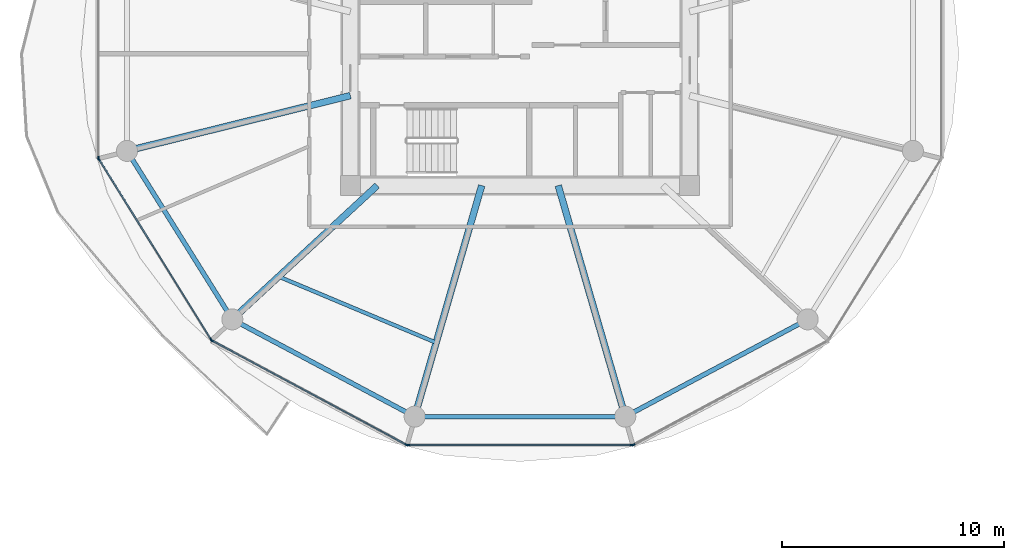
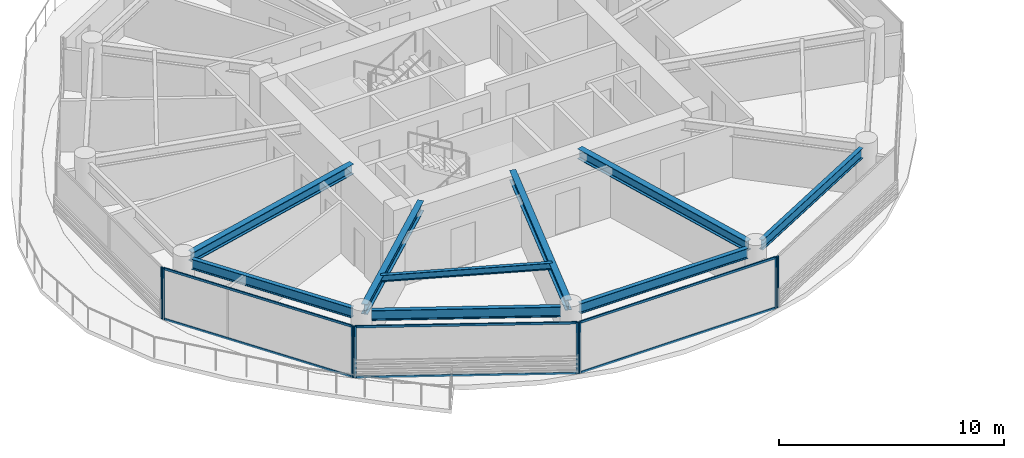
# One storey, part 2 of 27: 14 members, 9 beams, 5 elements without a shape of their own.
"""IFC4 building model written with IfcOpenShell, lengths in metres."""

import ifcopenshell
import ifcopenshell.guid

model = None  # the IFC model being written
_history = None  # IfcOwnerHistory: only IFC2X3 demands one
_inside = {}  # id of a spatial element -> (the spatial element, [elements in it])
_under = {}  # id of a project, library or spatial element -> (it, [spatial elements below it])
_declared = {}  # id of a project -> (the project, [libraries it declares])
_typed = {}  # id of a type object -> (the type object, [elements of that type])
_made_of = {}  # id of a material, layer set ... -> (it, [elements and type objects made of it])


def new_model(schema):
    """Start an empty IFC model of exactly this schema.

    Asked for "IFC4X3", IfcOpenShell would pick the latest addendum, in which some entities
    have other attributes; the version numbers below select the first issue.
    IFC2X3 requires an IfcOwnerHistory on every rooted entity: one is made here for all.
    """
    global model, _history
    if schema == "IFC4X3":
        model = ifcopenshell.file(schema_version=(4, 3, 0, 0))
    else:
        model = ifcopenshell.file(schema=schema)
    _inside.clear()
    _under.clear()
    _declared.clear()
    _typed.clear()
    _made_of.clear()
    _history = None
    if model.schema == "IFC2X3":
        org = make("IfcOrganization", Name="unknown")
        user = make(
            "IfcPersonAndOrganization",
            ThePerson=make("IfcPerson", FamilyName="unknown"),
            TheOrganization=org,
        )
        app = make(
            "IfcApplication",
            ApplicationDeveloper=org,
            Version="unknown",
            ApplicationFullName="unknown",
            ApplicationIdentifier="unknown",
        )
        _history = make(
            "IfcOwnerHistory",
            OwningUser=user,
            OwningApplication=app,
            ChangeAction="ADDED",
            CreationDate=0,
        )
    return model


def make(cls, **values):
    """One entity of the class cls with the attributes given. An attribute that is None is left unset."""
    return model.create_entity(
        cls, **{name: value for name, value in values.items() if value is not None}
    )


def rooted(cls, **values):
    """An entity with a GlobalId (a new one), such as an element, a storey or a relation."""
    return make(cls, GlobalId=ifcopenshell.guid.new(), OwnerHistory=_history, **values)


def si_unit(unit_type, name, prefix=None):
    """IfcSIUnit, for example si_unit("LENGTHUNIT", "METRE", prefix="MILLI")."""
    return make("IfcSIUnit", UnitType=unit_type, Prefix=prefix, Name=name)


def assignment(units):
    """IfcUnitAssignment: the units of a project."""
    return None if units is None else make("IfcUnitAssignment", Units=units)


def point(xyz):
    """IfcCartesianPoint."""
    return None if xyz is None else make("IfcCartesianPoint", Coordinates=xyz)


def direction(xyz):
    """IfcDirection."""
    return None if xyz is None else make("IfcDirection", DirectionRatios=xyz)


def frame(location, z_axis=None, x_axis=None):
    """IfcAxis2Placement3D, a coordinate frame: its origin and axes. An axis left out is left unset."""
    return make(
        "IfcAxis2Placement3D",
        Location=point(location),
        Axis=direction(z_axis),
        RefDirection=direction(x_axis),
    )


def frame_2d(location, x_axis=None):
    """IfcAxis2Placement2D, a coordinate frame in the plane: its origin and x axis."""
    return make(
        "IfcAxis2Placement2D", Location=point(location), RefDirection=direction(x_axis)
    )


def origin():
    """The frame at (0, 0, 0) with its axes left unset."""
    return frame((0.0, 0.0, 0.0))


def origin_2d():
    """The frame at (0, 0) in the plane with its x axis left unset."""
    return frame_2d((0.0, 0.0))


def place(relative_to, where):
    """IfcLocalPlacement: puts the frame where relative to a parent placement (None: the world)."""
    return make(
        "IfcLocalPlacement", PlacementRelTo=relative_to, RelativePlacement=where
    )


def context(
    kind, dimensions, precision=None, world=None, true_north=None, identifier=None
):
    """IfcGeometricRepresentationContext, for example the 3D "Model" context."""
    return make(
        "IfcGeometricRepresentationContext",
        ContextIdentifier=identifier,
        ContextType=kind,
        CoordinateSpaceDimension=dimensions,
        Precision=precision,
        WorldCoordinateSystem=world,
        TrueNorth=true_north,
    )


def subcontext(parent, identifier, kind, view, scale=None):
    """IfcGeometricRepresentationSubContext, for example "Body" below "Model"."""
    return make(
        "IfcGeometricRepresentationSubContext",
        ContextIdentifier=identifier,
        ContextType=kind,
        ParentContext=parent,
        TargetScale=scale,
        TargetView=view,
    )


def project(units=None, contexts=None):
    """IfcProject with its units and contexts."""
    return rooted(
        "IfcProject",
        Name="project",
        RepresentationContexts=contexts,
        UnitsInContext=assignment(units),
    )


def spatial(cls, under=None, at=None, **own):
    """A site, building, storey or space (cls), placed at a placement, below another one or the project."""
    s = rooted(cls, ObjectPlacement=at, **own)
    if under is not None:
        _under.setdefault(under.id(), (under, []))[1].append(s)
    return s


def profile(cls, at=None, kind="AREA", **sizes):
    """A parametric profile (cls). Its sizes go by their IFC names, for example OverallWidth=200.0."""
    return make(cls, ProfileType=kind, Position=at, **sizes)


def rectangle(**sizes):
    """IfcRectangleProfileDef."""
    return profile("IfcRectangleProfileDef", **sizes)


def i_section(**sizes):
    """IfcIShapeProfileDef."""
    return profile("IfcIShapeProfileDef", **sizes)


def extrude(swept, where, along, depth):
    """IfcExtrudedAreaSolid: the profile swept, set in the frame where, extruded along a direction by depth."""
    return make(
        "IfcExtrudedAreaSolid",
        SweptArea=swept,
        Position=where,
        ExtrudedDirection=direction(along),
        Depth=depth,
    )


def shape(context_of_items, identifier, shape_type, items):
    """IfcShapeRepresentation: the items that make up one representation, for example the "Body"."""
    return make(
        "IfcShapeRepresentation",
        ContextOfItems=context_of_items,
        RepresentationIdentifier=identifier,
        RepresentationType=shape_type,
        Items=items,
    )


def source(mapping_origin, context_of_items, identifier, shape_type, items):
    """IfcRepresentationMap: a shape defined once, which mapped items show again and again."""
    return make(
        "IfcRepresentationMap",
        MappingOrigin=mapping_origin,
        MappedRepresentation=shape(context_of_items, identifier, shape_type, items),
    )


def transform(
    local_origin,
    x_axis=None,
    y_axis=None,
    z_axis=None,
    scale=None,
    scale2=None,
    scale3=None,
    uniform=True,
):
    """IfcCartesianTransformationOperator3D, or its non-uniform kind. x_axis, y_axis, z_axis: its Axis1, 2, 3."""
    if uniform:
        return make(
            "IfcCartesianTransformationOperator3D",
            Axis1=direction(x_axis),
            Axis2=direction(y_axis),
            LocalOrigin=point(local_origin),
            Scale=scale,
            Axis3=direction(z_axis),
        )
    return make(
        "IfcCartesianTransformationOperator3DnonUniform",
        Axis1=direction(x_axis),
        Axis2=direction(y_axis),
        LocalOrigin=point(local_origin),
        Scale=scale,
        Axis3=direction(z_axis),
        Scale2=scale2,
        Scale3=scale3,
    )


def mapped(mapping_source, mapping_target):
    """IfcMappedItem: shows the shape of a source again, moved by a transform."""
    return make(
        "IfcMappedItem", MappingSource=mapping_source, MappingTarget=mapping_target
    )


def material(Name=None, Category=None):
    """IfcMaterial."""
    return make("IfcMaterial", Name=Name, Category=Category)


def layer(
    of_material, thickness, ventilated=None, Name=None, Category=None, Priority=None
):
    """IfcMaterialLayer: one layer of a wall or slab, of a material (None: an air gap)."""
    return make(
        "IfcMaterialLayer",
        Material=of_material,
        LayerThickness=thickness,
        IsVentilated=ventilated,
        Name=Name,
        Category=Category,
        Priority=Priority,
    )


def layer_set(layers, Name=None):
    """IfcMaterialLayerSet."""
    return make("IfcMaterialLayerSet", MaterialLayers=layers, LayerSetName=Name)


def material_profile(
    of_material, cross_section, Name=None, Category=None, Priority=None
):
    """IfcMaterialProfile: a cross section and its material."""
    return make(
        "IfcMaterialProfile",
        Name=Name,
        Material=of_material,
        Profile=cross_section,
        Priority=Priority,
        Category=Category,
    )


def profile_set(profiles, Name=None, composite=None):
    """IfcMaterialProfileSet."""
    return make(
        "IfcMaterialProfileSet",
        Name=Name,
        MaterialProfiles=profiles,
        CompositeProfile=composite,
    )


def made_of(thing, what):
    """Note that an element or type object is made of a material, layer set ...; save() writes the relation."""
    if what is not None:
        _made_of.setdefault(what.id(), (what, []))[1].append(thing)
    return thing


def type_object(cls, material=None, **own):
    """A type object (cls), such as IfcWallType, which elements share."""
    return made_of(rooted(cls, **own), material)


def type_shapes(of_type, sources):
    """Give a type object the sources (RepresentationMaps) that its elements show as mapped items."""
    of_type.RepresentationMaps = sources


def element(
    cls,
    number,
    at=None,
    inside=None,
    cuts=None,
    type_object=None,
    material=None,
    context=None,
    identifier="Body",
    shape_type=None,
    held_by="IfcProductDefinitionShape",
    body=None,
    shapes=None,
    **own,
):
    """One element of the class cls, such as IfcWall. Its Tag is "e" and its number.

    at: its placement. inside: the storey or other place that contains it. cuts: it is an
    opening in that element (IfcRelVoidsElement). A single representation is given by context,
    identifier, shape_type and body (its items); several are given by shapes. held_by: the class
    of the entity that holds the representations. save() writes the other relations.
    """
    e = rooted(cls, Tag="e%d" % number, ObjectPlacement=at, **own)
    if body is not None:
        shapes = [shape(context, identifier, shape_type, body)]
    if shapes is not None:
        e.Representation = make(held_by, Representations=shapes)
    if inside is not None:
        _inside.setdefault(inside.id(), (inside, []))[1].append(e)
    if cuts is not None:
        rooted(
            "IfcRelVoidsElement", RelatingBuildingElement=cuts, RelatedOpeningElement=e
        )
    if type_object is not None:
        _typed.setdefault(type_object.id(), (type_object, []))[1].append(e)
    return made_of(e, material)


def aggregate(whole, parts):
    """IfcRelAggregates: a whole, such as a stair, and the parts it consists of."""
    return rooted("IfcRelAggregates", RelatingObject=whole, RelatedObjects=parts)


def save(model, path):
    """Write the relations noted so far, then the file.

    IfcRelAggregates (storeys below a building ...), IfcRelContainedInSpatialStructure (elements
    in a storey), IfcRelDefinesByType, IfcRelAssociatesMaterial and IfcRelDeclares: one each for
    every whole, place, type object, material and project.
    """
    for whole, parts in _under.values():
        aggregate(whole, parts)
    for where, things in _inside.values():
        rooted(
            "IfcRelContainedInSpatialStructure",
            RelatedElements=things,
            RelatingStructure=where,
        )
    for kind, things in _typed.values():
        rooted("IfcRelDefinesByType", RelatedObjects=things, RelatingType=kind)
    for what, things in _made_of.values():
        rooted("IfcRelAssociatesMaterial", RelatedObjects=things, RelatingMaterial=what)
    for by, libraries in _declared.values():
        rooted("IfcRelDeclares", RelatingContext=by, RelatedDefinitions=libraries)
    model.write(path)


model = new_model("IFC4")

# Units and contexts
model_context = context("Model", 3, precision=1e-05, world=origin(), true_north=direction((0.0, 1.0)))
body_context = subcontext(model_context, "Body", "Model", "MODEL_VIEW")
ifc_project = project(units=[si_unit("LENGTHUNIT", "METRE"), si_unit("AREAUNIT", "SQUARE_METRE"), si_unit("VOLUMEUNIT", "CUBIC_METRE"), si_unit("PLANEANGLEUNIT", "RADIAN"), si_unit("MASSUNIT", "GRAM", prefix="KILO")], contexts=[model_context])

# Site, building, storey
site_placement = place(None, origin())
site = spatial("IfcSite", under=ifc_project, at=site_placement, CompositionType="ELEMENT")
building_placement = place(site_placement, origin())
building = spatial("IfcBuilding", under=site, at=building_placement, Name="Norrkilde Senior Care Towers", CompositionType="ELEMENT")
storey_placement = place(building_placement, frame((0.0, 0.0, 33.800048828125)))
storey = spatial("IfcBuildingStorey", under=building, at=storey_placement, Name="L09", CompositionType="ELEMENT", Elevation=33.800048828125)

# Beams
ifc_material_1 = material(Name="Steel S355", Category="steel")
ifc_material_profile_1 = material_profile(ifc_material_1, i_section(OverallWidth=0.2099609375, OverallDepth=0.550048828125, WebThickness=0.010986328125, FlangeThickness=0.01708984375, FilletRadius=0.02392578125, at=origin_2d()), Name="IPE 550")
ifc_profile_set_1 = profile_set([ifc_material_profile_1], Name="Steel S355")
beam_type_1 = type_object("IfcBeamType", Name="Perimeter Ring Spandrel Z1 IPE550", PredefinedType="SPANDREL", material=ifc_profile_set_1)
shared_shape_1 = source(origin(), body_context, "Body", "SweptSolid", [
    extrude(i_section(OverallWidth=0.2099609375, OverallDepth=0.550048828125, WebThickness=0.010986328125, FlangeThickness=0.01708984375, FilletRadius=0.02392578125, at=origin_2d()), origin(), (0.0, 0.0, 1.0), 8.090576171875),
])
beam_1_placement = place(storey_placement, frame((-45.494140625, -4.755859375, 2.514892578125), z_axis=(0.530004364821, -0.84799491347, 0.0), x_axis=(0.84799491347, 0.530004364821, 0.0)))
element("IfcBeam", 1, at=beam_1_placement, inside=storey, type_object=beam_type_1, Name="L09 Drum W Perimeter Spandrel 07", PredefinedType="SPANDREL", context=body_context, shape_type="MappedRepresentation", body=[
    mapped(shared_shape_1, transform((0.0, 0.0, 0.0), x_axis=(1.0, 0.0, 0.0), y_axis=(0.0, 1.0, 0.0), z_axis=(0.0, 0.0, 1.0), scale=1.0)),
])
ifc_material_profile_2 = material_profile(ifc_material_1, i_section(OverallWidth=0.300048828125, OverallDepth=0.550048828125, WebThickness=0.014892578125, FlangeThickness=0.029052734375, FilletRadius=0.027099609375, at=origin_2d()), Name="HEB 550")
ifc_profile_set_2 = profile_set([ifc_material_profile_2], Name="Steel S355")
beam_type_2 = type_object("IfcBeamType", Name="Radial Floor Beam Z1 HEB550", PredefinedType="BEAM", material=ifc_profile_set_2)
shared_shape_2 = source(origin(), body_context, "Body", "SweptSolid", [
    extrude(i_section(OverallWidth=0.300048828125, OverallDepth=0.550048828125, WebThickness=0.014892578125, FlangeThickness=0.029052734375, FilletRadius=0.027099609375, at=origin_2d()), origin(), (0.0, 0.0, 1.0), 9.94384765625),
])
beam_2_placement = place(storey_placement, frame((-35.64990234375, -1.893310546875, 2.514892578125), z_axis=(-0.970707425182, -0.240264634718, 0.0), x_axis=(0.240264634718, -0.970707425182, 0.0)))
element("IfcBeam", 2, at=beam_2_placement, inside=storey, type_object=beam_type_2, Name="L09 Drum W Radial Floor Beam 07", PredefinedType="BEAM", context=body_context, shape_type="MappedRepresentation", body=[
    mapped(shared_shape_2, transform((0.0, 0.0, 0.0), x_axis=(1.0, 0.0, 0.0), y_axis=(0.0, 1.0, 0.0), z_axis=(0.0, 0.0, 1.0), scale=1.0)),
])
shared_shape_3 = source(origin(), body_context, "Body", "SweptSolid", [
    extrude(i_section(OverallWidth=0.2099609375, OverallDepth=0.550048828125, WebThickness=0.010986328125, FlangeThickness=0.01708984375, FilletRadius=0.02392578125, at=origin_2d()), origin(), (0.0, 0.0, 1.0), 8.452880859375),
])
for number, where, z_axis, x_axis, name in (
    (3, (-40.591552734375, -12.190185546875, 2.514892578125), (0.882368931134, -0.470558252898, 0.0), (0.470558252898, 0.882368931134, 0.0), "L09 Drum W Perimeter Spandrel 08"),
    (4, (-22.866943359375, -16.167724609375, 2.514892578125), (0.882368931134, 0.470558252898, 0.0), (-0.470558252898, 0.882368931134, 0.0), "L09 Drum W Perimeter Spandrel 10"),
):
    element("IfcBeam", number, at=place(storey_placement, frame(where, z_axis=z_axis, x_axis=x_axis)), inside=storey, type_object=beam_type_1, Name=name, PredefinedType="SPANDREL", context=body_context, shape_type="MappedRepresentation", body=[
        mapped(shared_shape_3, transform((0.0, 0.0, 0.0), x_axis=(1.0, 0.0, 0.0), y_axis=(0.0, 1.0, 0.0), z_axis=(0.0, 0.0, 1.0), scale=1.0)),
    ])
shared_shape_4 = source(origin(), body_context, "Body", "SweptSolid", [
    extrude(i_section(OverallWidth=0.300048828125, OverallDepth=0.550048828125, WebThickness=0.014892578125, FlangeThickness=0.029052734375, FilletRadius=0.027099609375, at=origin_2d()), origin(), (0.0, 0.0, 1.0), 8.459716796875),
])
beam_3_placement = place(storey_placement, frame((-34.44140625, -5.949951171875, 2.514892578125), z_axis=(-0.734573269108, -0.678529374686, 0.0), x_axis=(0.678529374686, -0.734573269108, 0.0)))
element("IfcBeam", 5, at=beam_3_placement, inside=storey, type_object=beam_type_2, Name="L09 Drum W Radial Floor Beam 08", PredefinedType="BEAM", context=body_context, shape_type="MappedRepresentation", body=[
    mapped(shared_shape_4, transform((0.0, 0.0, 0.0), x_axis=(1.0, 0.0, 0.0), y_axis=(0.0, 1.0, 0.0), z_axis=(0.0, 0.0, 1.0), scale=1.0)),
])
shared_shape_5 = source(origin(), body_context, "Body", "SweptSolid", [
    extrude(i_section(OverallWidth=0.2099609375, OverallDepth=0.550048828125, WebThickness=0.010986328125, FlangeThickness=0.01708984375, FilletRadius=0.02392578125, at=origin_2d()), origin(), (0.0, 0.0, 1.0), 8.62841796875),
])
type_shapes(beam_type_1, [shared_shape_1, shared_shape_3, shared_shape_5])
beam_4_placement = place(storey_placement, frame((-32.314208984375, -16.37255859375, 2.514892578125), z_axis=(1.0, 0.0, 0.0), x_axis=(0.0, 1.0, 0.0)))
element("IfcBeam", 6, at=beam_4_placement, inside=storey, type_object=beam_type_1, Name="L09 Drum W Perimeter Spandrel 09", PredefinedType="SPANDREL", context=body_context, shape_type="MappedRepresentation", body=[
    mapped(shared_shape_5, transform((0.0, 0.0, 0.0), x_axis=(1.0, 0.0, 0.0), y_axis=(0.0, 1.0, 0.0), z_axis=(0.0, 0.0, 1.0), scale=1.0)),
])
shared_shape_6 = source(origin(), body_context, "Body", "SweptSolid", [
    extrude(i_section(OverallWidth=0.300048828125, OverallDepth=0.550048828125, WebThickness=0.014892578125, FlangeThickness=0.029052734375, FilletRadius=0.027099609375, at=origin_2d()), origin(), (0.0, 0.0, 1.0), 10.4169921875),
])
type_shapes(beam_type_2, [shared_shape_2, shared_shape_4, shared_shape_6])
for number, where, z_axis, x_axis, name in (
    (7, (-29.72607421875, -5.949951171875, 2.514892578125), (-0.278591250785, -0.960409764104, 0.0), (0.960409764104, -0.278591250785, 0.0), "L09 Drum W Radial Floor Beam 09"),
    (8, (-26.27392578125, -5.949951171875, 2.514892578125), (0.278591250785, -0.960409764104, 0.0), (0.960409764104, 0.278591250785, 0.0), "L09 Drum W Radial Floor Beam 10"),
):
    element("IfcBeam", number, at=place(storey_placement, frame(where, z_axis=z_axis, x_axis=x_axis)), inside=storey, type_object=beam_type_2, Name=name, PredefinedType="BEAM", context=body_context, shape_type="MappedRepresentation", body=[
        mapped(shared_shape_6, transform((0.0, 0.0, 0.0), x_axis=(1.0, 0.0, 0.0), y_axis=(0.0, 1.0, 0.0), z_axis=(0.0, 0.0, 1.0), scale=1.0)),
    ])
ifc_material_profile_3 = material_profile(ifc_material_1, i_section(OverallWidth=0.169921875, OverallDepth=0.360107421875, WebThickness=0.008056640625, FlangeThickness=0.0126953125, FilletRadius=0.01806640625, at=origin_2d()), Name="IPE 360")
ifc_profile_set_3 = profile_set([ifc_material_profile_3], Name="Steel S355")
beam_type_3 = type_object("IfcBeamType", Name="Secondary Floor Joist IPE360", PredefinedType="JOIST", material=ifc_profile_set_3)
shared_shape_7 = source(origin(), body_context, "Body", "SweptSolid", [
    extrude(i_section(OverallWidth=0.169921875, OverallDepth=0.360107421875, WebThickness=0.008056640625, FlangeThickness=0.0126953125, FilletRadius=0.01806640625, at=origin_2d()), origin(), (0.0, 0.0, 1.0), 7.703857421875),
])
type_shapes(beam_type_3, [shared_shape_7])
beam_5_placement = place(storey_placement, frame((-38.884521484375, -10.05419921875, 2.60986328125), z_axis=(0.921982784465, -0.387230868023, 0.0), x_axis=(0.387230868023, 0.921982784465, 0.0)))
element("IfcBeam", 9, at=beam_5_placement, inside=storey, type_object=beam_type_3, Name="L09 Drum W Secondary Floor Joist 3", PredefinedType="JOIST", context=body_context, shape_type="MappedRepresentation", body=[
    mapped(shared_shape_7, transform((0.0, 0.0, 0.0), x_axis=(1.0, 0.0, 0.0), y_axis=(0.0, 1.0, 0.0), z_axis=(0.0, 0.0, 1.0), scale=1.0)),
])

# Curtain wall, member
ifc_material_2 = material(Name="Triple Low-E Insulated Glazing", Category="glass")
ifc_layer = layer(ifc_material_2, 0.199951171875)
ifc_layer_set = layer_set([ifc_layer], Name="Triple Low-E Insulated Glazing")
curtain_wall_type = type_object("IfcCurtainWallType", Name="CW2 Zone 1 Memory Care Curtain Wall", PredefinedType="NOTDEFINED", material=ifc_layer_set)
curtain_wall_1_placement = place(storey_placement, origin())
curtain_wall_1 = element("IfcCurtainWall", 10, at=curtain_wall_1_placement, inside=storey, type_object=curtain_wall_type, Name="L09 Drum W Curtain Wall 05", PredefinedType="NOTDEFINED")
ifc_material_3 = material(Name="Anodised Aluminium", Category="aluminium")
ifc_material_profile_4 = material_profile(ifc_material_3, rectangle(XDim=0.06494140625, YDim=0.159912109375, at=origin_2d()), Name="ALU MULL 65x160")
ifc_profile_set_4 = profile_set([ifc_material_profile_4], Name="Anodised Aluminium")
member_type_1 = type_object("IfcMemberType", Name="Curtain Wall Mullion Z1-Z2 65x160", PredefinedType="MULLION", material=ifc_profile_set_4)
shared_shape_8 = source(origin(), body_context, "Body", "SweptSolid", [
    extrude(rectangle(XDim=0.06494140625, YDim=0.159912109375, at=origin_2d()), origin(), (0.0, 0.0, 1.0), 2.7900390625),
])
type_shapes(member_type_1, [shared_shape_8])
member_1_placement = place(storey_placement, frame((-47.009521484375, -4.69873046875, 0.0), z_axis=(0.0, 0.0, 1.0), x_axis=(-1.0, 0.0, 0.0)))
member_1 = element("IfcMember", 11, at=member_1_placement, type_object=member_type_1, Name="CW-2 mullion 1", PredefinedType="MULLION", context=body_context, shape_type="MappedRepresentation", body=[
    mapped(shared_shape_8, transform((0.0, 0.0, 0.0), x_axis=(1.0, 0.0, 0.0), y_axis=(0.0, 1.0, 0.0), z_axis=(0.0, 0.0, 1.0), scale=1.0)),
])
aggregate(curtain_wall_1, [member_1])

# Curtain wall, members
curtain_wall_2_placement = place(storey_placement, origin())
curtain_wall_2 = element("IfcCurtainWall", 12, at=curtain_wall_2_placement, inside=storey, type_object=curtain_wall_type, Name="L09 Drum W Curtain Wall 06", PredefinedType="NOTDEFINED")
member_2_placement = place(storey_placement, frame((-41.93310546875, -12.898193359375, 0.0), z_axis=(0.0, 0.0, 1.0), x_axis=(-0.849305943117, -0.527900951871, 0.0)))
member_2 = element("IfcMember", 13, at=member_2_placement, type_object=member_type_1, Name="CW-2 mullion 1", PredefinedType="MULLION", context=body_context, shape_type="MappedRepresentation", body=[
    mapped(shared_shape_8, transform((0.0, 0.0, 0.0), x_axis=(1.0, 0.0, 0.0), y_axis=(0.0, 1.0, 0.0), z_axis=(0.0, 0.0, 1.0), scale=1.0)),
])
member_3_placement = place(storey_placement, frame((-46.9921875, -4.7587890625, 0.0), z_axis=(0.0, 0.0, 1.0), x_axis=(-0.849305943117, -0.527900951871, 0.0)))
member_3 = element("IfcMember", 14, at=member_3_placement, type_object=member_type_1, Name="CW-2 mullion 2", PredefinedType="MULLION", context=body_context, shape_type="MappedRepresentation", body=[
    mapped(shared_shape_8, transform((0.0, 0.0, 0.0), x_axis=(1.0, 0.0, 0.0), y_axis=(0.0, 1.0, 0.0), z_axis=(0.0, 0.0, 1.0), scale=1.0)),
])

curtain_wall_3_placement = place(storey_placement, origin())
curtain_wall_3 = element("IfcCurtainWall", 15, at=curtain_wall_3_placement, inside=storey, type_object=curtain_wall_type, Name="L09 Drum W Curtain Wall 07", PredefinedType="NOTDEFINED")
member_4_placement = place(storey_placement, frame((-33.122314453125, -17.641845703125, 0.0), z_axis=(0.0, 0.0, 1.0), x_axis=(-0.472607802456, -0.881272866403, 0.0)))
member_4 = element("IfcMember", 16, at=member_4_placement, type_object=member_type_1, Name="CW-2 mullion 1", PredefinedType="MULLION", context=body_context, shape_type="MappedRepresentation", body=[
    mapped(shared_shape_8, transform((0.0, 0.0, 0.0), x_axis=(1.0, 0.0, 0.0), y_axis=(0.0, 1.0, 0.0), z_axis=(0.0, 0.0, 1.0), scale=1.0)),
])
member_5_placement = place(storey_placement, frame((-41.88720703125, -12.941162109375, 0.0), z_axis=(0.0, 0.0, 1.0), x_axis=(-0.472607802456, -0.881272866403, 0.0)))
member_5 = element("IfcMember", 17, at=member_5_placement, type_object=member_type_1, Name="CW-2 mullion 2", PredefinedType="MULLION", context=body_context, shape_type="MappedRepresentation", body=[
    mapped(shared_shape_8, transform((0.0, 0.0, 0.0), x_axis=(1.0, 0.0, 0.0), y_axis=(0.0, 1.0, 0.0), z_axis=(0.0, 0.0, 1.0), scale=1.0)),
])

curtain_wall_4_placement = place(storey_placement, origin())
curtain_wall_4 = element("IfcCurtainWall", 18, at=curtain_wall_4_placement, inside=storey, type_object=curtain_wall_type, Name="L09 Drum W Curtain Wall 08", PredefinedType="NOTDEFINED")
member_6_placement = place(storey_placement, frame((-22.93896484375, -17.6572265625, 0.0), z_axis=(0.0, 0.0, 1.0), x_axis=(0.0, -1.0, 0.0)))
member_6 = element("IfcMember", 19, at=member_6_placement, type_object=member_type_1, Name="CW-2 mullion 1", PredefinedType="MULLION", context=body_context, shape_type="MappedRepresentation", body=[
    mapped(shared_shape_8, transform((0.0, 0.0, 0.0), x_axis=(1.0, 0.0, 0.0), y_axis=(0.0, 1.0, 0.0), z_axis=(0.0, 0.0, 1.0), scale=1.0)),
])
member_7_placement = place(storey_placement, frame((-33.06103515625, -17.6572265625, 0.0), z_axis=(0.0, 0.0, 1.0), x_axis=(0.0, -1.0, 0.0)))
member_7 = element("IfcMember", 20, at=member_7_placement, type_object=member_type_1, Name="CW-2 mullion 2", PredefinedType="MULLION", context=body_context, shape_type="MappedRepresentation", body=[
    mapped(shared_shape_8, transform((0.0, 0.0, 0.0), x_axis=(1.0, 0.0, 0.0), y_axis=(0.0, 1.0, 0.0), z_axis=(0.0, 0.0, 1.0), scale=1.0)),
])

# Curtain wall, member
curtain_wall_5_placement = place(storey_placement, origin())
curtain_wall_5 = element("IfcCurtainWall", 21, at=curtain_wall_5_placement, inside=storey, type_object=curtain_wall_type, Name="L09 Drum W Curtain Wall 09", PredefinedType="NOTDEFINED")
member_8_placement = place(storey_placement, frame((-22.877685546875, -17.641845703125, 0.0), z_axis=(0.0, 0.0, 1.0), x_axis=(0.472607802456, -0.881272866403, 0.0)))
member_8 = element("IfcMember", 22, at=member_8_placement, type_object=member_type_1, Name="CW-2 mullion 2", PredefinedType="MULLION", context=body_context, shape_type="MappedRepresentation", body=[
    mapped(shared_shape_8, transform((0.0, 0.0, 0.0), x_axis=(1.0, 0.0, 0.0), y_axis=(0.0, 1.0, 0.0), z_axis=(0.0, 0.0, 1.0), scale=1.0)),
])
aggregate(curtain_wall_5, [member_8])

# Member
ifc_material_profile_5 = material_profile(ifc_material_3, rectangle(XDim=0.06005859375, YDim=0.1201171875, at=origin_2d()), Name="ALU TRAN 60x120")
ifc_profile_set_5 = profile_set([ifc_material_profile_5], Name="Anodised Aluminium")
member_type_2 = type_object("IfcMemberType", Name="Curtain Wall Transom Typical 60x120", PredefinedType="USERDEFINED", material=ifc_profile_set_5)
shared_shape_9 = source(origin(), body_context, "Body", "SweptSolid", [
    extrude(rectangle(XDim=0.06005859375, YDim=0.1201171875, at=origin_2d()), origin(), (0.0, 0.0, 1.0), 9.5185546875),
])
member_9_placement = place(storey_placement, frame((-41.9501953125, -12.87060546875, 0.030029296875), z_axis=(-0.527901620669, 0.849305527413, 0.0), x_axis=(-0.849305527413, -0.527901620669, 0.0)))
member_9 = element("IfcMember", 23, at=member_9_placement, type_object=member_type_2, Name="CW-2 transom 1.1", ObjectType="TRANSOM", PredefinedType="USERDEFINED", context=body_context, shape_type="MappedRepresentation", body=[
    mapped(shared_shape_9, transform((0.0, 0.0, 0.0), x_axis=(1.0, 0.0, 0.0), y_axis=(0.0, 1.0, 0.0), z_axis=(0.0, 0.0, 1.0), scale=1.0)),
])

member_10_placement = place(storey_placement, frame((-41.9501953125, -12.87060546875, 2.760009765625), z_axis=(-0.527901620669, 0.849305527413, 0.0), x_axis=(-0.849305527413, -0.527901620669, 0.0)))
member_10 = element("IfcMember", 24, at=member_10_placement, type_object=member_type_2, Name="CW-2 transom 1.2", ObjectType="TRANSOM", PredefinedType="USERDEFINED", context=body_context, shape_type="MappedRepresentation", body=[
    mapped(shared_shape_9, transform((0.0, 0.0, 0.0), x_axis=(1.0, 0.0, 0.0), y_axis=(0.0, 1.0, 0.0), z_axis=(0.0, 0.0, 1.0), scale=1.0)),
])

aggregate(curtain_wall_2, [member_2, member_3, member_9, member_10])

shared_shape_10 = source(origin(), body_context, "Body", "SweptSolid", [
    extrude(rectangle(XDim=0.06005859375, YDim=0.1201171875, at=origin_2d()), origin(), (0.0, 0.0, 1.0), 9.880859375),
])
member_11_placement = place(storey_placement, frame((-33.15087890625, -17.62646484375, 0.030029296875), z_axis=(-0.881267204043, 0.47261836092, 0.0), x_axis=(-0.47261836092, -0.881267204043, 0.0)))
member_11 = element("IfcMember", 25, at=member_11_placement, type_object=member_type_2, Name="CW-2 transom 1.1", ObjectType="TRANSOM", PredefinedType="USERDEFINED", context=body_context, shape_type="MappedRepresentation", body=[
    mapped(shared_shape_10, transform((0.0, 0.0, 0.0), x_axis=(1.0, 0.0, 0.0), y_axis=(0.0, 1.0, 0.0), z_axis=(0.0, 0.0, 1.0), scale=1.0)),
])

member_12_placement = place(storey_placement, frame((-33.15087890625, -17.62646484375, 2.760009765625), z_axis=(-0.881267204043, 0.47261836092, 0.0), x_axis=(-0.47261836092, -0.881267204043, 0.0)))
member_12 = element("IfcMember", 26, at=member_12_placement, type_object=member_type_2, Name="CW-2 transom 1.2", ObjectType="TRANSOM", PredefinedType="USERDEFINED", context=body_context, shape_type="MappedRepresentation", body=[
    mapped(shared_shape_10, transform((0.0, 0.0, 0.0), x_axis=(1.0, 0.0, 0.0), y_axis=(0.0, 1.0, 0.0), z_axis=(0.0, 0.0, 1.0), scale=1.0)),
])

aggregate(curtain_wall_3, [member_4, member_5, member_11, member_12])

shared_shape_11 = source(origin(), body_context, "Body", "SweptSolid", [
    extrude(rectangle(XDim=0.06005859375, YDim=0.1201171875, at=origin_2d()), origin(), (0.0, 0.0, 1.0), 10.05712890625),
])
type_shapes(member_type_2, [shared_shape_9, shared_shape_10, shared_shape_11])
member_13_placement = place(storey_placement, frame((-22.971435546875, -17.6572265625, 0.030029296875), z_axis=(-1.0, 0.0, 0.0), x_axis=(0.0, -1.0, 0.0)))
member_13 = element("IfcMember", 27, at=member_13_placement, type_object=member_type_2, Name="CW-2 transom 1.1", ObjectType="TRANSOM", PredefinedType="USERDEFINED", context=body_context, shape_type="MappedRepresentation", body=[
    mapped(shared_shape_11, transform((0.0, 0.0, 0.0), x_axis=(1.0, 0.0, 0.0), y_axis=(0.0, 1.0, 0.0), z_axis=(0.0, 0.0, 1.0), scale=1.0)),
])

member_14_placement = place(storey_placement, frame((-22.971435546875, -17.6572265625, 2.760009765625), z_axis=(-1.0, 0.0, 0.0), x_axis=(0.0, -1.0, 0.0)))
member_14 = element("IfcMember", 28, at=member_14_placement, type_object=member_type_2, Name="CW-2 transom 1.2", ObjectType="TRANSOM", PredefinedType="USERDEFINED", context=body_context, shape_type="MappedRepresentation", body=[
    mapped(shared_shape_11, transform((0.0, 0.0, 0.0), x_axis=(1.0, 0.0, 0.0), y_axis=(0.0, 1.0, 0.0), z_axis=(0.0, 0.0, 1.0), scale=1.0)),
])

aggregate(curtain_wall_4, [member_6, member_7, member_13, member_14])

save(model, "model.ifc")
